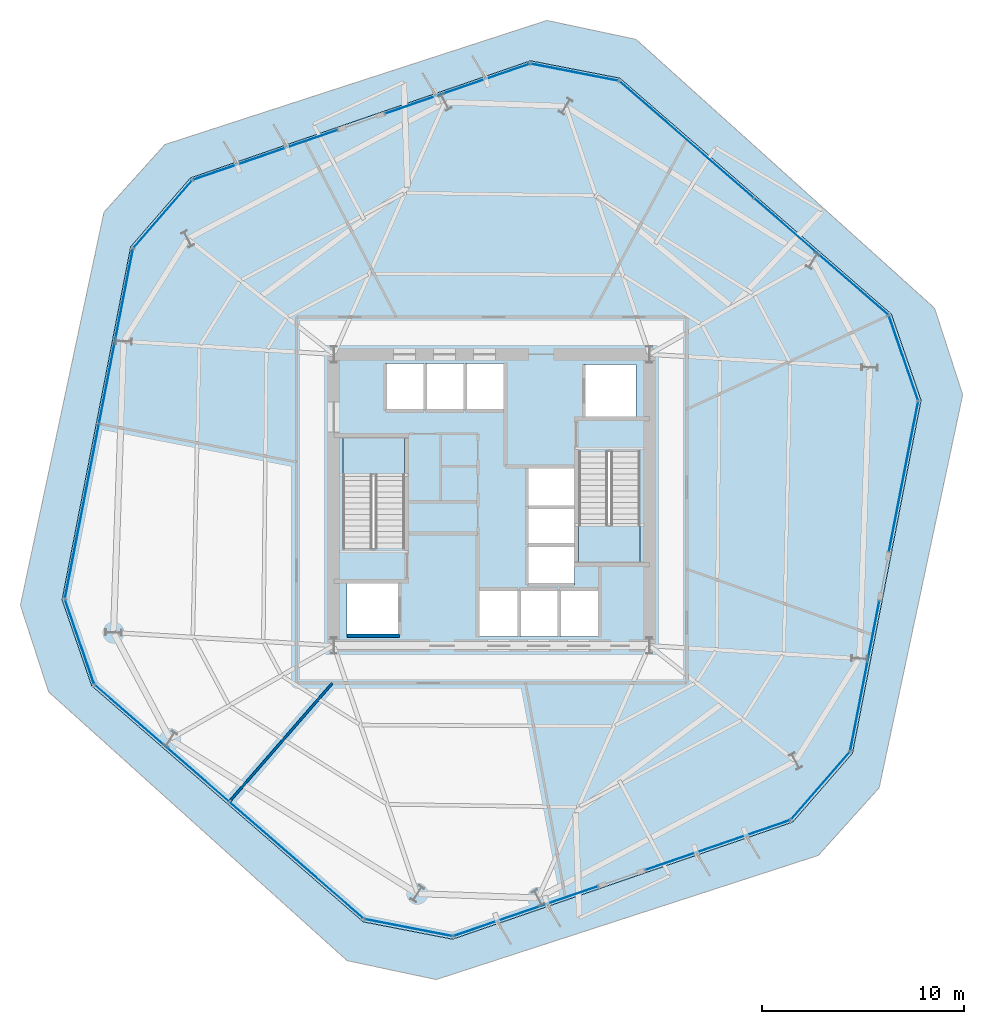
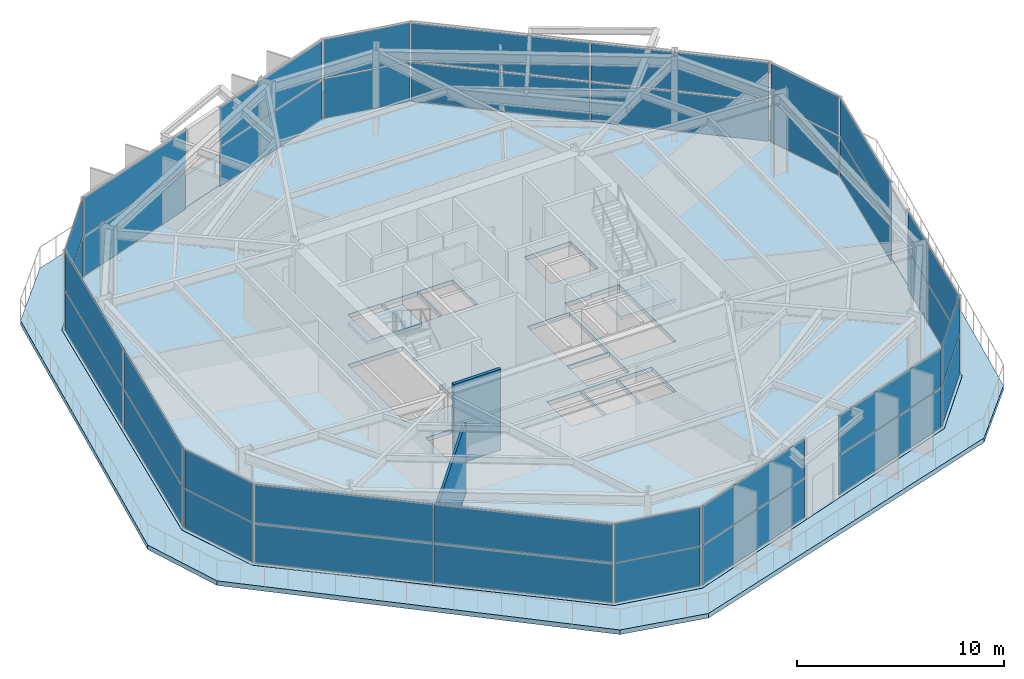
# One storey, part 8 of 16: 36 plates, 4 slabs, 2 walls, 17 elements without a shape of their own.
"""IFC4 building model written with IfcOpenShell, lengths in metres."""

from ifc_helpers import new_model, si_unit, direction, frame, frame_2d, origin, origin_2d, place, context, subcontext, project, spatial, polyline, rectangle, outline, extrude, material, layer, layer_set, type_object, element, aggregate, save


model = new_model("IFC4")

# Units and contexts
model_context = context("Model", 3, precision=1e-05, world=origin(), true_north=direction((0.0, 1.0)))
body_context = subcontext(model_context, "Body", "Model", "MODEL_VIEW")
ifc_project = project(units=[si_unit("LENGTHUNIT", "METRE"), si_unit("AREAUNIT", "SQUARE_METRE"), si_unit("VOLUMEUNIT", "CUBIC_METRE"), si_unit("PLANEANGLEUNIT", "RADIAN"), si_unit("MASSUNIT", "GRAM", prefix="KILO")], contexts=[model_context])

# Site, building, storey
site_placement = place(None, origin())
site = spatial("IfcSite", under=ifc_project, at=site_placement, CompositionType="ELEMENT")
building_placement = place(site_placement, origin())
building = spatial("IfcBuilding", under=site, at=building_placement, Name="Kranzbogen Civic Tower", CompositionType="ELEMENT")
storey_placement = place(building_placement, frame((0.0, 0.0, 97.39990234375)))
storey = spatial("IfcBuildingStorey", under=building, at=storey_placement, Name="L23", CompositionType="ELEMENT", Elevation=97.39990234375)

# Slabs
ifc_material_1 = material(Name="Concrete C40/50", Category="concrete")
ifc_layer_1 = layer(ifc_material_1, 0.260009765625, Name="Concrete C40/50")
ifc_layer_set_1 = layer_set([ifc_layer_1], Name="Concrete C40/50")
slab_type_1 = type_object("IfcSlabType", Name="Composite Podium and Sky Lobby Floor Slab 260 mm", PredefinedType="FLOOR", material=ifc_layer_set_1)
slab_1_placement = place(storey_placement, frame((0.0, 0.0, -0.260009765625)))
element("IfcSlab", 1, at=slab_1_placement, inside=storey, type_object=slab_type_1, Name="L23 tower floor slab", PredefinedType="FLOOR", context=body_context, shape_type="SweptSolid", body=[
    extrude(outline(polyline([(44.76611328125, 34.18603515625), (31.344970703125, 45.85205078125), (26.927978515625, 46.7109375), (10.114013671875, 40.9208984375), (7.162109375, 37.52490234375), (3.76904296875, 20.069091796875), (5.23388671875, 15.81396484375), (18.655029296875, 4.14794921875), (23.072021484375, 3.2890625), (39.885986328125, 9.0791015625), (42.837890625, 12.47509765625), (46.23095703125, 29.930908203125), (44.76611328125, 34.18603515625)]), holes=[polyline([(26.300048828125, 20.60009765625), (26.300048828125, 18.25), (24.39990234375, 18.25), (24.39990234375, 20.60009765625), (26.300048828125, 20.60009765625)]), polyline([(28.27490234375, 18.25), (26.375, 18.25), (26.375, 20.60009765625), (28.27490234375, 20.60009765625), (28.27490234375, 18.25)]), polyline([(20.449951171875, 18.300048828125), (17.85009765625, 18.300048828125), (17.85009765625, 20.89990234375), (20.449951171875, 20.89990234375), (20.449951171875, 18.300048828125)]), polyline([(20.699951171875, 22.659912109375), (19.25, 22.659912109375), (19.25, 22.60009765625), (17.64990234375, 22.60009765625), (17.64990234375, 28.10009765625), (20.699951171875, 28.10009765625), (20.699951171875, 22.659912109375)]), polyline([(21.64990234375, 29.39990234375), (19.75, 29.39990234375), (19.75, 31.75), (21.64990234375, 31.75), (21.64990234375, 29.39990234375)]), polyline([(23.625, 29.39990234375), (21.72509765625, 29.39990234375), (21.72509765625, 31.75), (23.625, 31.75), (23.625, 29.39990234375)]), polyline([(25.60009765625, 31.75), (25.60009765625, 29.39990234375), (23.699951171875, 29.39990234375), (23.699951171875, 31.75), (25.60009765625, 31.75)]), polyline([(30.25, 18.25), (28.35009765625, 18.25), (28.35009765625, 20.60009765625), (30.25, 20.60009765625), (30.25, 18.25)]), polyline([(29.10009765625, 20.800048828125), (26.75, 20.800048828125), (26.75, 22.699951171875), (29.10009765625, 22.699951171875), (29.10009765625, 20.800048828125)]), polyline([(26.75, 26.550048828125), (29.10009765625, 26.550048828125), (29.10009765625, 24.675048828125), (29.10009765625, 24.64990234375), (29.10009765625, 22.77490234375), (26.75, 22.77490234375), (26.75, 24.64990234375), (26.75, 24.675048828125), (26.75, 26.550048828125)]), polyline([(30.75, 27.340087890625), (30.75, 27.39990234375), (32.35009765625, 27.39990234375), (32.35009765625, 21.89990234375), (29.300048828125, 21.89990234375), (29.300048828125, 27.340087890625), (30.75, 27.340087890625)]), polyline([(32.14990234375, 29.10009765625), (29.550048828125, 29.10009765625), (29.550048828125, 31.699951171875), (32.14990234375, 31.699951171875), (32.14990234375, 29.10009765625)])]), origin(), (0.0, 0.0, 1.0), 0.260009765625),
])
ifc_layer_2 = layer(ifc_material_1, 0.27001953125, Name="Concrete C40/50")
ifc_layer_set_2 = layer_set([ifc_layer_2], Name="Concrete C40/50")
slab_type_2 = type_object("IfcSlabType", Name="Health Centre Insulated Roof Terrace Slab 270 mm", PredefinedType="FLOOR", material=ifc_layer_set_2)
slab_2_placement = place(storey_placement, frame((0.0, 0.0, -0.27001953125)))
element("IfcSlab", 2, at=slab_2_placement, inside=storey, type_object=slab_type_2, Name="L23 setback outdoor terrace slab 1", PredefinedType="FLOOR", context=body_context, shape_type="SweptSolid", body=[
    extrude(outline(polyline([(44.160888671875, 10.77490234375), (48.2900390625, 30.201904296875), (46.89990234375, 34.48095703125), (32.139892578125, 47.77099609375), (27.739013671875, 48.70703125), (8.85009765625, 42.569091796875), (5.839111328125, 39.22509765625), (1.7099609375, 19.798095703125), (3.10009765625, 15.51904296875), (17.860107421875, 2.22900390625), (22.260986328125, 1.29296875), (41.14990234375, 7.430908203125), (44.160888671875, 10.77490234375)]), holes=[polyline([(44.77099609375, 34.18798828125), (46.236083984375, 29.93310546875), (46.236083984375, 29.931884765625), (46.236083984375, 29.931884765625), (46.236083984375, 29.930908203125), (46.236083984375, 29.930908203125), (46.236083984375, 29.929931640625), (42.843017578125, 12.47412109375), (42.843017578125, 12.47412109375), (42.843017578125, 12.472900390625), (42.842041015625, 12.472900390625), (42.842041015625, 12.471923828125), (42.842041015625, 12.471923828125), (39.889892578125, 9.075927734375), (39.888916015625, 9.074951171875), (39.888916015625, 9.074951171875), (39.888916015625, 9.074951171875), (39.887939453125, 9.073974609375), (39.887939453125, 9.073974609375), (23.073974609375, 3.283935546875), (23.072998046875, 3.283935546875), (23.072998046875, 3.283935546875), (23.072021484375, 3.283935546875), (23.072021484375, 3.283935546875), (23.071044921875, 3.283935546875), (18.654052734375, 4.14306640625), (18.654052734375, 4.14306640625), (18.653076171875, 4.14306640625), (18.653076171875, 4.14404296875), (18.652099609375, 4.14404296875), (18.652099609375, 4.14404296875), (5.23095703125, 15.81005859375), (5.22998046875, 15.81103515625), (5.22998046875, 15.81103515625), (5.22998046875, 15.81103515625), (5.22900390625, 15.81201171875), (5.22900390625, 15.81201171875), (3.763916015625, 20.06689453125), (3.763916015625, 20.068115234375), (3.763916015625, 20.068115234375), (3.763916015625, 20.069091796875), (3.763916015625, 20.069091796875), (3.763916015625, 20.070068359375), (7.156982421875, 37.52587890625), (7.156982421875, 37.52587890625), (7.156982421875, 37.527099609375), (7.157958984375, 37.527099609375), (7.157958984375, 37.528076171875), (7.157958984375, 37.528076171875), (10.110107421875, 40.924072265625), (10.111083984375, 40.925048828125), (10.111083984375, 40.925048828125), (10.111083984375, 40.925048828125), (10.112060546875, 40.926025390625), (10.112060546875, 40.926025390625), (26.926025390625, 46.716064453125), (26.927001953125, 46.716064453125), (26.927001953125, 46.716064453125), (26.927978515625, 46.716064453125), (26.927978515625, 46.716064453125), (26.928955078125, 46.716064453125), (31.345947265625, 45.85693359375), (31.345947265625, 45.85693359375), (31.346923828125, 45.85693359375), (31.346923828125, 45.85595703125), (31.347900390625, 45.85595703125), (31.347900390625, 45.85595703125), (44.76904296875, 34.18994140625), (44.77001953125, 34.18896484375), (44.77001953125, 34.18896484375), (44.77001953125, 34.18896484375), (44.77099609375, 34.18798828125), (44.77099609375, 34.18798828125)])]), origin(), (0.0, 0.0, 1.0), 0.27001953125),
])

# Curtain wall, plates
ifc_material_2 = material(Name="Pale Anodised Aluminium", Category="aluminium")
ifc_layer_3 = layer(ifc_material_2, 0.219970703125, Name="Pale Anodised Aluminium")
ifc_layer_set_3 = layer_set([ifc_layer_3], Name="Pale Anodised Aluminium")
curtain_wall_type_1 = type_object("IfcCurtainWallType", Name="Chamfer Facet Stick Curtain Wall System CW-06", PredefinedType="USERDEFINED", material=ifc_layer_set_3)
curtain_wall_1_placement = place(storey_placement, origin())
curtain_wall_1 = element("IfcCurtainWall", 3, at=curtain_wall_1_placement, inside=storey, type_object=curtain_wall_type_1, Name="L23 curtain wall CW-L23-C1", ObjectType="STICK CURTAIN WALL", PredefinedType="USERDEFINED")
ifc_material_3 = material(Name="Low-E Triple Glazing Glass", Category="glass")
ifc_layer_4 = layer(ifc_material_3, 0.02587890625, Name="Low-E Triple Glazing Glass")
ifc_layer_set_4 = layer_set([ifc_layer_4], Name="Low-E Triple Glazing Glass")
plate_type_1 = type_object("IfcPlateType", Name="Insulated Low-E Glazing Panel 26 mm", PredefinedType="CURTAIN_PANEL", material=ifc_layer_set_4)
plate_1_placement = place(storey_placement, frame((29.110107421875, 46.14501953125, 0.06005859375), z_axis=(0.0, 0.0, 1.0), x_axis=(-0.981582777116, 0.19103730439, 0.0)))
plate_1 = element("IfcPlate", 4, at=plate_1_placement, type_object=plate_type_1, Name="CW-06 panel 1.1", PredefinedType="CURTAIN_PANEL", context=body_context, shape_type="SweptSolid", body=[
    extrude(rectangle(XDim=4.350341796875, YDim=0.028076171875, at=origin_2d()), origin(), (0.0, 0.0, 1.0), 2.31005859375),
])
plate_2_placement = place(storey_placement, frame((29.110107421875, 46.14501953125, 2.43017578125), z_axis=(0.0, 0.0, 1.0), x_axis=(-0.981582777116, 0.19103730439, 0.0)))
plate_2 = element("IfcPlate", 5, at=plate_2_placement, type_object=plate_type_1, Name="CW-06 panel 1.2", PredefinedType="CURTAIN_PANEL", context=body_context, shape_type="SweptSolid", body=[
    extrude(rectangle(XDim=4.350341796875, YDim=0.028076171875, at=origin_2d()), origin(), (0.0, 0.0, 1.0), 2.27001953125),
])
aggregate(curtain_wall_1, [plate_1, plate_2])

curtain_wall_2_placement = place(storey_placement, origin())
curtain_wall_2 = element("IfcCurtainWall", 6, at=curtain_wall_2_placement, inside=storey, type_object=curtain_wall_type_1, Name="L23 curtain wall CW-L23-C2", ObjectType="STICK CURTAIN WALL", PredefinedType="USERDEFINED")
plate_3_placement = place(storey_placement, frame((8.743408203125, 39.132080078125, 0.06005859375), z_axis=(0.0, 0.0, 1.0), x_axis=(-0.656062411201, -0.754706640099, 0.0)))
plate_3 = element("IfcPlate", 7, at=plate_3_placement, type_object=plate_type_1, Name="CW-06 panel 1.1", PredefinedType="CURTAIN_PANEL", context=body_context, shape_type="SweptSolid", body=[
    extrude(rectangle(XDim=4.3505859375, YDim=0.028076171875, at=origin_2d()), origin(), (0.0, 0.0, 1.0), 2.31005859375),
])
plate_4_placement = place(storey_placement, frame((8.743408203125, 39.132080078125, 2.43017578125), z_axis=(0.0, 0.0, 1.0), x_axis=(-0.656062411201, -0.754706640099, 0.0)))
plate_4 = element("IfcPlate", 8, at=plate_4_placement, type_object=plate_type_1, Name="CW-06 panel 1.2", PredefinedType="CURTAIN_PANEL", context=body_context, shape_type="SweptSolid", body=[
    extrude(rectangle(XDim=4.3505859375, YDim=0.028076171875, at=origin_2d()), origin(), (0.0, 0.0, 1.0), 2.27001953125),
])
aggregate(curtain_wall_2, [plate_3, plate_4])

curtain_wall_3_placement = place(storey_placement, origin())
curtain_wall_3 = element("IfcCurtainWall", 9, at=curtain_wall_3_placement, inside=storey, type_object=curtain_wall_type_1, Name="L23 curtain wall CW-L23-C3", ObjectType="STICK CURTAIN WALL", PredefinedType="USERDEFINED")
plate_5_placement = place(storey_placement, frame((4.633056640625, 17.987060546875, 0.06005859375), z_axis=(0.0, 0.0, 1.0), x_axis=(0.325604710902, -0.945505987415, 0.0)))
plate_5 = element("IfcPlate", 10, at=plate_5_placement, type_object=plate_type_1, Name="CW-06 panel 1.1", PredefinedType="CURTAIN_PANEL", context=body_context, shape_type="SweptSolid", body=[
    extrude(rectangle(XDim=4.3515625, YDim=0.028076171875, at=origin_2d()), origin(), (0.0, 0.0, 1.0), 2.31005859375),
])
plate_6_placement = place(storey_placement, frame((4.633056640625, 17.987060546875, 2.43017578125), z_axis=(0.0, 0.0, 1.0), x_axis=(0.325604710902, -0.945505987415, 0.0)))
plate_6 = element("IfcPlate", 11, at=plate_6_placement, type_object=plate_type_1, Name="CW-06 panel 1.2", PredefinedType="CURTAIN_PANEL", context=body_context, shape_type="SweptSolid", body=[
    extrude(rectangle(XDim=4.3515625, YDim=0.028076171875, at=origin_2d()), origin(), (0.0, 0.0, 1.0), 2.27001953125),
])
aggregate(curtain_wall_3, [plate_5, plate_6])

curtain_wall_4_placement = place(storey_placement, origin())
curtain_wall_4 = element("IfcCurtainWall", 12, at=curtain_wall_4_placement, inside=storey, type_object=curtain_wall_type_1, Name="L23 curtain wall CW-L23-C4", ObjectType="STICK CURTAIN WALL", PredefinedType="USERDEFINED")
plate_7_placement = place(storey_placement, frame((20.889892578125, 3.85498046875, 0.06005859375), z_axis=(0.0, 0.0, 1.0), x_axis=(0.981582777116, -0.19103730439, 0.0)))
plate_7 = element("IfcPlate", 13, at=plate_7_placement, type_object=plate_type_1, Name="CW-06 panel 1.1", PredefinedType="CURTAIN_PANEL", context=body_context, shape_type="SweptSolid", body=[
    extrude(rectangle(XDim=4.350341796875, YDim=0.028076171875, at=origin_2d()), origin(), (0.0, 0.0, 1.0), 2.31005859375),
])
plate_8_placement = place(storey_placement, frame((20.889892578125, 3.85498046875, 2.43017578125), z_axis=(0.0, 0.0, 1.0), x_axis=(0.981582777116, -0.19103730439, 0.0)))
plate_8 = element("IfcPlate", 14, at=plate_8_placement, type_object=plate_type_1, Name="CW-06 panel 1.2", PredefinedType="CURTAIN_PANEL", context=body_context, shape_type="SweptSolid", body=[
    extrude(rectangle(XDim=4.350341796875, YDim=0.028076171875, at=origin_2d()), origin(), (0.0, 0.0, 1.0), 2.27001953125),
])
aggregate(curtain_wall_4, [plate_7, plate_8])

curtain_wall_5_placement = place(storey_placement, origin())
curtain_wall_5 = element("IfcCurtainWall", 15, at=curtain_wall_5_placement, inside=storey, type_object=curtain_wall_type_1, Name="L23 curtain wall CW-L23-C5", ObjectType="STICK CURTAIN WALL", PredefinedType="USERDEFINED")
plate_9_placement = place(storey_placement, frame((41.256591796875, 10.867919921875, 0.06005859375), z_axis=(0.0, 0.0, 1.0), x_axis=(0.656062411201, 0.754706640099, 0.0)))
plate_9 = element("IfcPlate", 16, at=plate_9_placement, type_object=plate_type_1, Name="CW-06 panel 1.1", PredefinedType="CURTAIN_PANEL", context=body_context, shape_type="SweptSolid", body=[
    extrude(rectangle(XDim=4.3505859375, YDim=0.028076171875, at=origin_2d()), origin(), (0.0, 0.0, 1.0), 2.31005859375),
])
plate_10_placement = place(storey_placement, frame((41.256591796875, 10.867919921875, 2.43017578125), z_axis=(0.0, 0.0, 1.0), x_axis=(0.656062411201, 0.754706640099, 0.0)))
plate_10 = element("IfcPlate", 17, at=plate_10_placement, type_object=plate_type_1, Name="CW-06 panel 1.2", PredefinedType="CURTAIN_PANEL", context=body_context, shape_type="SweptSolid", body=[
    extrude(rectangle(XDim=4.3505859375, YDim=0.028076171875, at=origin_2d()), origin(), (0.0, 0.0, 1.0), 2.27001953125),
])
aggregate(curtain_wall_5, [plate_9, plate_10])

curtain_wall_6_placement = place(storey_placement, origin())
curtain_wall_6 = element("IfcCurtainWall", 18, at=curtain_wall_6_placement, inside=storey, type_object=curtain_wall_type_1, Name="L23 curtain wall CW-L23-C6", ObjectType="STICK CURTAIN WALL", PredefinedType="USERDEFINED")
plate_11_placement = place(storey_placement, frame((45.366943359375, 32.012939453125, 0.06005859375), z_axis=(0.0, 0.0, 1.0), x_axis=(-0.325604710902, 0.945505987415, 0.0)))
plate_11 = element("IfcPlate", 19, at=plate_11_placement, type_object=plate_type_1, Name="CW-06 panel 1.1", PredefinedType="CURTAIN_PANEL", context=body_context, shape_type="SweptSolid", body=[
    extrude(rectangle(XDim=4.3515625, YDim=0.028076171875, at=origin_2d()), origin(), (0.0, 0.0, 1.0), 2.31005859375),
])
plate_12_placement = place(storey_placement, frame((45.366943359375, 32.012939453125, 2.43017578125), z_axis=(0.0, 0.0, 1.0), x_axis=(-0.325604710902, 0.945505987415, 0.0)))
plate_12 = element("IfcPlate", 20, at=plate_12_placement, type_object=plate_type_1, Name="CW-06 panel 1.2", PredefinedType="CURTAIN_PANEL", context=body_context, shape_type="SweptSolid", body=[
    extrude(rectangle(XDim=4.3515625, YDim=0.028076171875, at=origin_2d()), origin(), (0.0, 0.0, 1.0), 2.27001953125),
])
aggregate(curtain_wall_6, [plate_11, plate_12])

ifc_layer_5 = layer(ifc_material_2, 0.219970703125, Name="Pale Anodised Aluminium")
ifc_layer_set_5 = layer_set([ifc_layer_5], Name="Pale Anodised Aluminium")
curtain_wall_type_2 = type_object("IfcCurtainWallType", Name="Zone 2 Stick Curtain Wall System CW-03", PredefinedType="USERDEFINED", material=ifc_layer_set_5)
curtain_wall_7_placement = place(storey_placement, origin())
curtain_wall_7 = element("IfcCurtainWall", 21, at=curtain_wall_7_placement, inside=storey, type_object=curtain_wall_type_2, Name="L23 curtain wall CW-L23-F1", ObjectType="STICK CURTAIN WALL", PredefinedType="USERDEFINED")
ifc_layer_6 = layer(ifc_material_3, 0.031982421875, Name="Low-E Triple Glazing Glass")
ifc_layer_set_6 = layer_set([ifc_layer_6], Name="Low-E Triple Glazing Glass")
plate_type_2 = type_object("IfcPlateType", Name="Insulated Low-E Glazing Panel 32 mm", PredefinedType="CURTAIN_PANEL", material=ifc_layer_set_6)
plate_13_placement = place(storey_placement, frame((41.2939453125, 37.03466796875, 0.06005859375), z_axis=(0.0, 0.0, 1.0), x_axis=(-0.754735883979, 0.656028768755, 0.0)))
plate_13 = element("IfcPlate", 22, at=plate_13_placement, type_object=plate_type_2, Name="CW-03 panel 1.1", PredefinedType="CURTAIN_PANEL", context=body_context, shape_type="SweptSolid", body=[
    extrude(rectangle(XDim=8.744140625, YDim=0.028076171875, at=origin_2d()), origin(), (0.0, 0.0, 1.0), 2.31005859375),
])
plate_14_placement = place(storey_placement, frame((41.2939453125, 37.03466796875, 2.43017578125), z_axis=(0.0, 0.0, 1.0), x_axis=(-0.754735883979, 0.656028768755, 0.0)))
plate_14 = element("IfcPlate", 23, at=plate_14_placement, type_object=plate_type_2, Name="CW-03 panel 1.2", PredefinedType="CURTAIN_PANEL", context=body_context, shape_type="SweptSolid", body=[
    extrude(rectangle(XDim=8.744140625, YDim=0.028076171875, at=origin_2d()), origin(), (0.0, 0.0, 1.0), 2.27001953125),
])
plate_15_placement = place(storey_placement, frame((34.649169921875, 42.810302734375, 0.06005859375), z_axis=(0.0, 0.0, 1.0), x_axis=(-0.754735883979, 0.656028768755, 0.0)))
plate_15 = element("IfcPlate", 24, at=plate_15_placement, type_object=plate_type_2, Name="CW-03 panel 2.1", PredefinedType="CURTAIN_PANEL", context=body_context, shape_type="SweptSolid", body=[
    extrude(rectangle(XDim=8.744140625, YDim=0.028076171875, at=origin_2d()), origin(), (0.0, 0.0, 1.0), 2.31005859375),
])
plate_16_placement = place(storey_placement, frame((34.649169921875, 42.810302734375, 2.43017578125), z_axis=(0.0, 0.0, 1.0), x_axis=(-0.754735883979, 0.656028768755, 0.0)))
plate_16 = element("IfcPlate", 25, at=plate_16_placement, type_object=plate_type_2, Name="CW-03 panel 2.2", PredefinedType="CURTAIN_PANEL", context=body_context, shape_type="SweptSolid", body=[
    extrude(rectangle(XDim=8.744140625, YDim=0.028076171875, at=origin_2d()), origin(), (0.0, 0.0, 1.0), 2.27001953125),
])
aggregate(curtain_wall_7, [plate_13, plate_14, plate_15, plate_16])

curtain_wall_8_placement = place(storey_placement, origin())
curtain_wall_8 = element("IfcCurtainWall", 26, at=curtain_wall_8_placement, inside=storey, type_object=curtain_wall_type_2, Name="L23 curtain wall CW-L23-F2-S1", ObjectType="STICK CURTAIN WALL", PredefinedType="USERDEFINED")
plate_17_placement = place(storey_placement, frame((23.306396484375, 45.3291015625, 0.06005859375), z_axis=(0.0, 0.0, 1.0), x_axis=(-0.945506521479, -0.325603160059, 0.0)))
plate_17 = element("IfcPlate", 27, at=plate_17_placement, type_object=plate_type_2, Name="CW-03 panel 1.1", PredefinedType="CURTAIN_PANEL", context=body_context, shape_type="SweptSolid", body=[
    extrude(rectangle(XDim=7.51513671875, YDim=0.028076171875, at=origin_2d()), origin(), (0.0, 0.0, 1.0), 2.31005859375),
])
plate_18_placement = place(storey_placement, frame((23.306396484375, 45.3291015625, 2.43017578125), z_axis=(0.0, 0.0, 1.0), x_axis=(-0.945506521479, -0.325603160059, 0.0)))
plate_18 = element("IfcPlate", 28, at=plate_18_placement, type_object=plate_type_2, Name="CW-03 panel 1.2", PredefinedType="CURTAIN_PANEL", context=body_context, shape_type="SweptSolid", body=[
    extrude(rectangle(XDim=7.51513671875, YDim=0.028076171875, at=origin_2d()), origin(), (0.0, 0.0, 1.0), 2.27001953125),
])
aggregate(curtain_wall_8, [plate_17, plate_18])

curtain_wall_9_placement = place(storey_placement, origin())
curtain_wall_9 = element("IfcCurtainWall", 29, at=curtain_wall_9_placement, inside=storey, type_object=curtain_wall_type_2, Name="L23 curtain wall CW-L23-F2-S2", ObjectType="STICK CURTAIN WALL", PredefinedType="USERDEFINED")
plate_19_placement = place(storey_placement, frame((13.819091796875, 42.06201171875, 0.06005859375), z_axis=(0.0, 0.0, 1.0), x_axis=(-0.945492633298, -0.325643486622, 0.0)))
plate_19 = element("IfcPlate", 30, at=plate_19_placement, type_object=plate_type_2, Name="CW-03 panel 1.1", PredefinedType="CURTAIN_PANEL", context=body_context, shape_type="SweptSolid", body=[
    extrude(rectangle(XDim=7.51416015625, YDim=0.028076171875, at=origin_2d()), origin(), (0.0, 0.0, 1.0), 2.31005859375),
])
plate_20_placement = place(storey_placement, frame((13.819091796875, 42.06201171875, 2.43017578125), z_axis=(0.0, 0.0, 1.0), x_axis=(-0.945492633298, -0.325643486622, 0.0)))
plate_20 = element("IfcPlate", 31, at=plate_20_placement, type_object=plate_type_2, Name="CW-03 panel 1.2", PredefinedType="CURTAIN_PANEL", context=body_context, shape_type="SweptSolid", body=[
    extrude(rectangle(XDim=7.51416015625, YDim=0.028076171875, at=origin_2d()), origin(), (0.0, 0.0, 1.0), 2.27001953125),
])
aggregate(curtain_wall_9, [plate_19, plate_20])

curtain_wall_10_placement = place(storey_placement, origin())
curtain_wall_10 = element("IfcCurtainWall", 32, at=curtain_wall_10_placement, inside=storey, type_object=curtain_wall_type_2, Name="L23 curtain wall CW-L23-F3", ObjectType="STICK CURTAIN WALL", PredefinedType="USERDEFINED")
plate_21_placement = place(storey_placement, frame((6.43115234375, 33.09423828125, 0.06005859375), z_axis=(0.0, 0.0, 1.0), x_axis=(-0.190845421179, -0.981620102288, 0.0)))
plate_21 = element("IfcPlate", 33, at=plate_21_placement, type_object=plate_type_2, Name="CW-03 panel 1.1", PredefinedType="CURTAIN_PANEL", context=body_context, shape_type="SweptSolid", body=[
    extrude(rectangle(XDim=8.744384765625, YDim=0.028076171875, at=origin_2d()), origin(), (0.0, 0.0, 1.0), 2.31005859375),
])
plate_22_placement = place(storey_placement, frame((6.43115234375, 33.09423828125, 2.43017578125), z_axis=(0.0, 0.0, 1.0), x_axis=(-0.190845421179, -0.981620102288, 0.0)))
plate_22 = element("IfcPlate", 34, at=plate_22_placement, type_object=plate_type_2, Name="CW-03 panel 1.2", PredefinedType="CURTAIN_PANEL", context=body_context, shape_type="SweptSolid", body=[
    extrude(rectangle(XDim=8.744384765625, YDim=0.028076171875, at=origin_2d()), origin(), (0.0, 0.0, 1.0), 2.27001953125),
])
plate_23_placement = place(storey_placement, frame((4.7509765625, 24.45166015625, 0.06005859375), z_axis=(0.0, 0.0, 1.0), x_axis=(-0.190845421179, -0.981620102288, 0.0)))
plate_23 = element("IfcPlate", 35, at=plate_23_placement, type_object=plate_type_2, Name="CW-03 panel 2.1", PredefinedType="CURTAIN_PANEL", context=body_context, shape_type="SweptSolid", body=[
    extrude(rectangle(XDim=8.744384765625, YDim=0.028076171875, at=origin_2d()), origin(), (0.0, 0.0, 1.0), 2.31005859375),
])
plate_24_placement = place(storey_placement, frame((4.7509765625, 24.45166015625, 2.43017578125), z_axis=(0.0, 0.0, 1.0), x_axis=(-0.190845421179, -0.981620102288, 0.0)))
plate_24 = element("IfcPlate", 36, at=plate_24_placement, type_object=plate_type_2, Name="CW-03 panel 2.2", PredefinedType="CURTAIN_PANEL", context=body_context, shape_type="SweptSolid", body=[
    extrude(rectangle(XDim=8.744384765625, YDim=0.028076171875, at=origin_2d()), origin(), (0.0, 0.0, 1.0), 2.27001953125),
])
aggregate(curtain_wall_10, [plate_21, plate_22, plate_23, plate_24])

curtain_wall_11_placement = place(storey_placement, origin())
curtain_wall_11 = element("IfcCurtainWall", 37, at=curtain_wall_11_placement, inside=storey, type_object=curtain_wall_type_2, Name="L23 curtain wall CW-L23-F4", ObjectType="STICK CURTAIN WALL", PredefinedType="USERDEFINED")
plate_25_placement = place(storey_placement, frame((8.7060546875, 12.96533203125, 0.06005859375), z_axis=(0.0, 0.0, 1.0), x_axis=(0.754735883979, -0.656028768755, 0.0)))
plate_25 = element("IfcPlate", 38, at=plate_25_placement, type_object=plate_type_2, Name="CW-03 panel 1.1", PredefinedType="CURTAIN_PANEL", context=body_context, shape_type="SweptSolid", body=[
    extrude(rectangle(XDim=8.744140625, YDim=0.028076171875, at=origin_2d()), origin(), (0.0, 0.0, 1.0), 2.31005859375),
])
plate_26_placement = place(storey_placement, frame((8.7060546875, 12.96533203125, 2.43017578125), z_axis=(0.0, 0.0, 1.0), x_axis=(0.754735883979, -0.656028768755, 0.0)))
plate_26 = element("IfcPlate", 39, at=plate_26_placement, type_object=plate_type_2, Name="CW-03 panel 1.2", PredefinedType="CURTAIN_PANEL", context=body_context, shape_type="SweptSolid", body=[
    extrude(rectangle(XDim=8.744140625, YDim=0.028076171875, at=origin_2d()), origin(), (0.0, 0.0, 1.0), 2.27001953125),
])
plate_27_placement = place(storey_placement, frame((15.350830078125, 7.189697265625, 0.06005859375), z_axis=(0.0, 0.0, 1.0), x_axis=(0.754735883979, -0.656028768755, 0.0)))
plate_27 = element("IfcPlate", 40, at=plate_27_placement, type_object=plate_type_2, Name="CW-03 panel 2.1", PredefinedType="CURTAIN_PANEL", context=body_context, shape_type="SweptSolid", body=[
    extrude(rectangle(XDim=8.744140625, YDim=0.028076171875, at=origin_2d()), origin(), (0.0, 0.0, 1.0), 2.31005859375),
])
plate_28_placement = place(storey_placement, frame((15.350830078125, 7.189697265625, 2.43017578125), z_axis=(0.0, 0.0, 1.0), x_axis=(0.754735883979, -0.656028768755, 0.0)))
plate_28 = element("IfcPlate", 41, at=plate_28_placement, type_object=plate_type_2, Name="CW-03 panel 2.2", PredefinedType="CURTAIN_PANEL", context=body_context, shape_type="SweptSolid", body=[
    extrude(rectangle(XDim=8.744140625, YDim=0.028076171875, at=origin_2d()), origin(), (0.0, 0.0, 1.0), 2.27001953125),
])
aggregate(curtain_wall_11, [plate_25, plate_26, plate_27, plate_28])

curtain_wall_12_placement = place(storey_placement, origin())
curtain_wall_12 = element("IfcCurtainWall", 42, at=curtain_wall_12_placement, inside=storey, type_object=curtain_wall_type_2, Name="L23 curtain wall CW-L23-F5-S1", ObjectType="STICK CURTAIN WALL", PredefinedType="USERDEFINED")
plate_29_placement = place(storey_placement, frame((26.693115234375, 4.6708984375, 0.06005859375), z_axis=(0.0, 0.0, 1.0), x_axis=(0.945492633298, 0.325643486622, 0.0)))
plate_29 = element("IfcPlate", 43, at=plate_29_placement, type_object=plate_type_2, Name="CW-03 panel 1.1", PredefinedType="CURTAIN_PANEL", context=body_context, shape_type="SweptSolid", body=[
    extrude(rectangle(XDim=7.51416015625, YDim=0.028076171875, at=origin_2d()), origin(), (0.0, 0.0, 1.0), 2.31005859375),
])
plate_30_placement = place(storey_placement, frame((26.693115234375, 4.6708984375, 2.43017578125), z_axis=(0.0, 0.0, 1.0), x_axis=(0.945492633298, 0.325643486622, 0.0)))
plate_30 = element("IfcPlate", 44, at=plate_30_placement, type_object=plate_type_2, Name="CW-03 panel 1.2", PredefinedType="CURTAIN_PANEL", context=body_context, shape_type="SweptSolid", body=[
    extrude(rectangle(XDim=7.51416015625, YDim=0.028076171875, at=origin_2d()), origin(), (0.0, 0.0, 1.0), 2.27001953125),
])
aggregate(curtain_wall_12, [plate_29, plate_30])

curtain_wall_13_placement = place(storey_placement, origin())
curtain_wall_13 = element("IfcCurtainWall", 45, at=curtain_wall_13_placement, inside=storey, type_object=curtain_wall_type_2, Name="L23 curtain wall CW-L23-F5-S2", ObjectType="STICK CURTAIN WALL", PredefinedType="USERDEFINED")
plate_31_placement = place(storey_placement, frame((36.180419921875, 7.93798828125, 0.06005859375), z_axis=(0.0, 0.0, 1.0), x_axis=(0.945506521479, 0.325603160059, 0.0)))
plate_31 = element("IfcPlate", 46, at=plate_31_placement, type_object=plate_type_2, Name="CW-03 panel 1.1", PredefinedType="CURTAIN_PANEL", context=body_context, shape_type="SweptSolid", body=[
    extrude(rectangle(XDim=7.51513671875, YDim=0.028076171875, at=origin_2d()), origin(), (0.0, 0.0, 1.0), 2.31005859375),
])
plate_32_placement = place(storey_placement, frame((36.180419921875, 7.93798828125, 2.43017578125), z_axis=(0.0, 0.0, 1.0), x_axis=(0.945506521479, 0.325603160059, 0.0)))
plate_32 = element("IfcPlate", 47, at=plate_32_placement, type_object=plate_type_2, Name="CW-03 panel 1.2", PredefinedType="CURTAIN_PANEL", context=body_context, shape_type="SweptSolid", body=[
    extrude(rectangle(XDim=7.51513671875, YDim=0.028076171875, at=origin_2d()), origin(), (0.0, 0.0, 1.0), 2.27001953125),
])
aggregate(curtain_wall_13, [plate_31, plate_32])

curtain_wall_14_placement = place(storey_placement, origin())
curtain_wall_14 = element("IfcCurtainWall", 48, at=curtain_wall_14_placement, inside=storey, type_object=curtain_wall_type_2, Name="L23 curtain wall CW-L23-F6-S1", ObjectType="STICK CURTAIN WALL", PredefinedType="USERDEFINED")
plate_33_placement = place(storey_placement, frame((43.451416015625, 16.302001953125, 0.06005859375), z_axis=(0.0, 0.0, 1.0), x_axis=(0.190848623157, 0.981619479757, 0.0)))
plate_33 = element("IfcPlate", 49, at=plate_33_placement, type_object=plate_type_2, Name="CW-03 panel 1.1", PredefinedType="CURTAIN_PANEL", context=body_context, shape_type="SweptSolid", body=[
    extrude(rectangle(XDim=7.514404296875, YDim=0.028076171875, at=origin_2d()), origin(), (0.0, 0.0, 1.0), 2.31005859375),
])
plate_34_placement = place(storey_placement, frame((43.451416015625, 16.302001953125, 2.43017578125), z_axis=(0.0, 0.0, 1.0), x_axis=(0.190848623157, 0.981619479757, 0.0)))
plate_34 = element("IfcPlate", 50, at=plate_34_placement, type_object=plate_type_2, Name="CW-03 panel 1.2", PredefinedType="CURTAIN_PANEL", context=body_context, shape_type="SweptSolid", body=[
    extrude(rectangle(XDim=7.514404296875, YDim=0.028076171875, at=origin_2d()), origin(), (0.0, 0.0, 1.0), 2.27001953125),
])
aggregate(curtain_wall_14, [plate_33, plate_34])

curtain_wall_15_placement = place(storey_placement, origin())
curtain_wall_15 = element("IfcCurtainWall", 51, at=curtain_wall_15_placement, inside=storey, type_object=curtain_wall_type_2, Name="L23 curtain wall CW-L23-F6-S2", ObjectType="STICK CURTAIN WALL", PredefinedType="USERDEFINED")
plate_35_placement = place(storey_placement, frame((45.366455078125, 26.152099609375, 0.06005859375), z_axis=(0.0, 0.0, 1.0), x_axis=(0.190848623157, 0.981619479757, 0.0)))
plate_35 = element("IfcPlate", 52, at=plate_35_placement, type_object=plate_type_2, Name="CW-03 panel 1.1", PredefinedType="CURTAIN_PANEL", context=body_context, shape_type="SweptSolid", body=[
    extrude(rectangle(XDim=7.514404296875, YDim=0.028076171875, at=origin_2d()), origin(), (0.0, 0.0, 1.0), 2.31005859375),
])
plate_36_placement = place(storey_placement, frame((45.366455078125, 26.152099609375, 2.43017578125), z_axis=(0.0, 0.0, 1.0), x_axis=(0.190848623157, 0.981619479757, 0.0)))
plate_36 = element("IfcPlate", 53, at=plate_36_placement, type_object=plate_type_2, Name="CW-03 panel 1.2", PredefinedType="CURTAIN_PANEL", context=body_context, shape_type="SweptSolid", body=[
    extrude(rectangle(XDim=7.514404296875, YDim=0.028076171875, at=origin_2d()), origin(), (0.0, 0.0, 1.0), 2.27001953125),
])
aggregate(curtain_wall_15, [plate_35, plate_36])

# Stair, slab
ifc_material_4 = material(Name="Precast concrete C40/50", Category="concrete")
stair_type_1 = type_object("IfcStairType", Name="Tower Core Pressurized Dogleg Stair 1450", PredefinedType="HALF_TURN_STAIR", material=ifc_material_4)
stair_1_placement = place(storey_placement, origin())
stair_1 = element("IfcStair", 54, at=stair_1_placement, inside=storey, type_object=stair_type_1, Name="L23 Tower Core Pressurized Stair 1", PredefinedType="HALF_TURN_STAIR")
ifc_layer_7 = layer(ifc_material_4, 0.199951171875, Name="Precast concrete C40/50")
ifc_layer_set_7 = layer_set([ifc_layer_7], Name="Precast concrete C40/50")
slab_type_3 = type_object("IfcSlabType", Name="Precast Concrete Stair Landing Slab 200 mm", PredefinedType="LANDING", material=ifc_layer_set_7)
slab_3_placement = place(storey_placement, frame((0.0, 0.0, 2.300048828125)))
slab_3 = element("IfcSlab", 55, at=slab_3_placement, type_object=slab_type_3, Name="ST-T1 landing 1", PredefinedType="LANDING", context=body_context, shape_type="SweptSolid", body=[
    extrude(outline(polyline([(20.699951171875, 26.239990234375), (20.699951171875, 28.10009765625), (17.64990234375, 28.10009765625), (17.64990234375, 26.239990234375), (20.699951171875, 26.239990234375)])), origin(), (0.0, 0.0, 1.0), 0.199951171875),
])
aggregate(stair_1, [slab_3])

stair_type_2 = type_object("IfcStairType", Name="Tower Core Secondary Dogleg Stair 1450", PredefinedType="HALF_TURN_STAIR", material=ifc_material_4)
stair_2_placement = place(storey_placement, origin())
stair_2 = element("IfcStair", 56, at=stair_2_placement, inside=storey, type_object=stair_type_2, Name="L23 Tower Core Pressurized Stair 2", PredefinedType="HALF_TURN_STAIR")
slab_4_placement = place(storey_placement, frame((0.0, 0.0, 2.300048828125)))
slab_4 = element("IfcSlab", 57, at=slab_4_placement, type_object=slab_type_3, Name="ST-T2 landing 1", PredefinedType="LANDING", context=body_context, shape_type="SweptSolid", body=[
    extrude(outline(polyline([(29.300048828125, 23.760009765625), (29.300048828125, 21.89990234375), (32.35009765625, 21.89990234375), (32.35009765625, 23.760009765625), (29.300048828125, 23.760009765625)])), origin(), (0.0, 0.0, 1.0), 0.199951171875),
])
aggregate(stair_2, [slab_4])

# Walls
ifc_material_5 = material(Name="Insulated Metal-Stud Gypsum Partition")
ifc_layer_8 = layer(ifc_material_5, 0.125, Name="Insulated Metal-Stud Gypsum Partition")
ifc_layer_set_8 = layer_set([ifc_layer_8], Name="Insulated Metal-Stud Gypsum Partition")
wall_type_1 = type_object("IfcWallType", Name="Acoustic Inter-Room Partition 125 mm", PredefinedType="PARTITIONING", material=ifc_layer_set_8)
wall_1_placement = place(storey_placement, frame((17.133056640625, 15.949951171875, 0.0), z_axis=(0.0, 0.0, 1.0), x_axis=(-0.655994183005, -0.754765945088, 0.0)))
element("IfcWall", 58, at=wall_1_placement, inside=storey, type_object=wall_type_1, Name="L23 radial room partition 04", PredefinedType="PARTITIONING", context=body_context, shape_type="SweptSolid", body=[
    extrude(rectangle(XDim=7.763916015625, YDim=0.125, at=frame_2d((3.8818359375, 0.0))), origin(), (0.0, 0.0, 1.0), 4.16015625),
])
ifc_material_6 = material(Name="Gypsum Fireboard Shaftliner")
ifc_layer_9 = layer(ifc_material_6, 0.175048828125, Name="Gypsum Fireboard Shaftliner")
ifc_layer_set_9 = layer_set([ifc_layer_9], Name="Gypsum Fireboard Shaftliner")
wall_type_2 = type_object("IfcWallType", Name="Fire-Rated Lift and Service Shaft Wall 175 mm", PredefinedType="PARTITIONING", material=ifc_layer_set_9)
wall_2_placement = place(storey_placement, frame((17.85009765625, 18.300048828125, 0.0), z_axis=(0.0, 0.0, 1.0), x_axis=(1.0, 0.0, 0.0)))
element("IfcWall", 59, at=wall_2_placement, inside=storey, type_object=wall_type_2, Name="L23 lift FF-01 side wall", PredefinedType="PARTITIONING", context=body_context, shape_type="SweptSolid", body=[
    extrude(rectangle(XDim=2.599853515625, YDim=0.175048828125, at=frame_2d((1.2998046875, 0.0))), origin(), (0.0, 0.0, 1.0), 4.760009765625),
])

save(model, "model.ifc")
